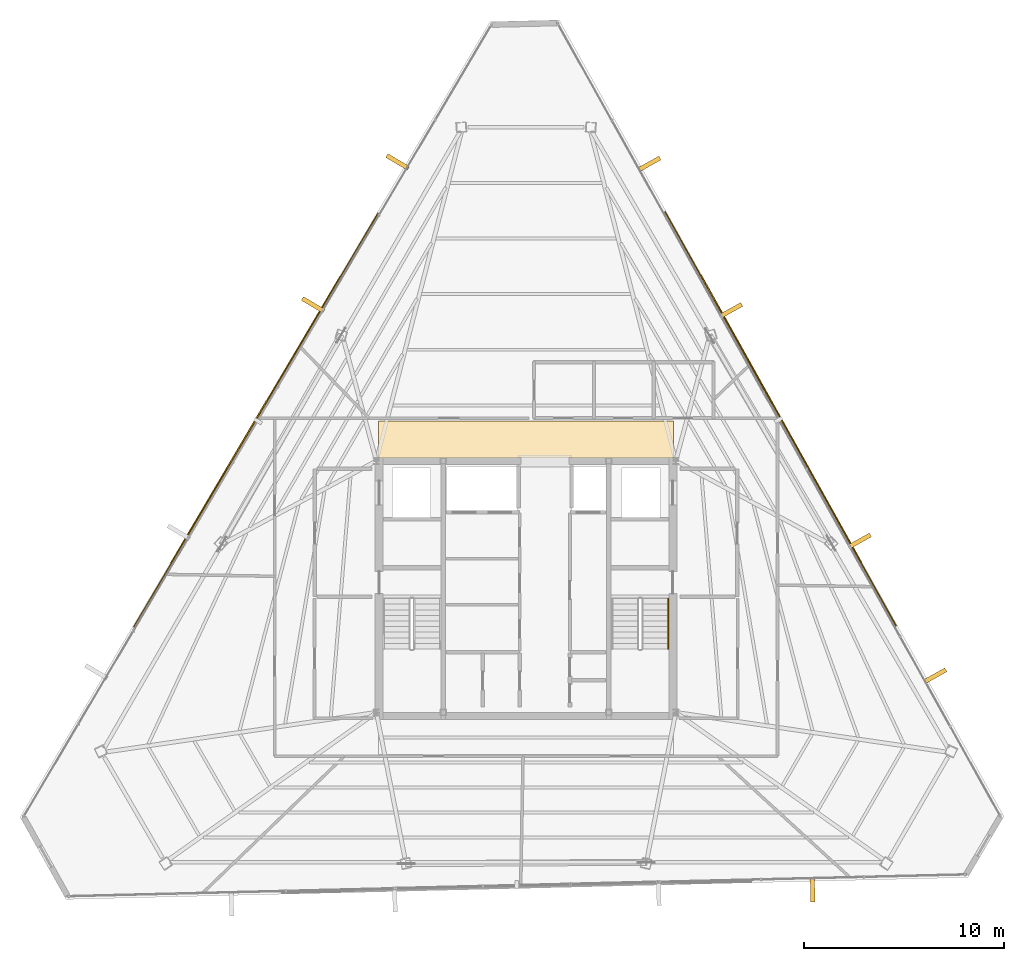
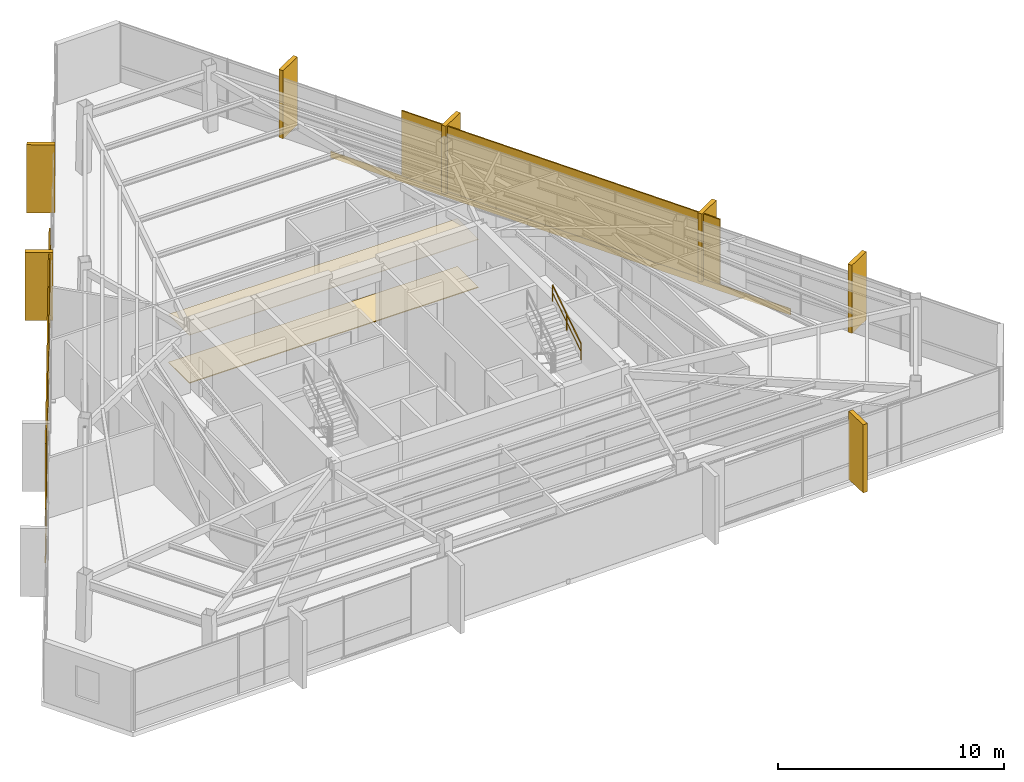
# One storey, part 44 of 44: 11 coverings, 2 shading devices, 1 railing.
"""IFC4 building model written with IfcOpenShell, lengths in metres."""

from ifc_helpers import new_model, si_unit, direction, frame, origin, origin_2d, place, context, subcontext, project, spatial, polyline, rectangle, outline, extrude, source, transform, mapped, material, layer, layer_set, type_object, type_shapes, element, save


model = new_model("IFC4")

# Units and contexts
model_context = context("Model", 3, precision=1e-05, world=origin(), true_north=direction((0.0, 1.0)))
body_context = subcontext(model_context, "Body", "Model", "MODEL_VIEW")
ifc_project = project(units=[si_unit("LENGTHUNIT", "METRE"), si_unit("AREAUNIT", "SQUARE_METRE"), si_unit("VOLUMEUNIT", "CUBIC_METRE"), si_unit("PLANEANGLEUNIT", "RADIAN"), si_unit("MASSUNIT", "GRAM", prefix="KILO")], contexts=[model_context])

# Site, building, storey
site_placement = place(None, origin())
site = spatial("IfcSite", under=ifc_project, at=site_placement, CompositionType="ELEMENT")
building_placement = place(site_placement, origin())
building = spatial("IfcBuilding", under=site, at=building_placement, Name="Caelisora Broadcast Tower", CompositionType="ELEMENT")
storey_placement = place(building_placement, frame((0.0, 0.0, 280.949951171875)))
storey = spatial("IfcBuildingStorey", under=building, at=storey_placement, Name="L74", CompositionType="ELEMENT", Elevation=280.949951171875)

# Coverings
ifc_material_1 = material(Name="Perforated Mineral-Fibre Acoustic Ceiling Tile", Category="gypsum")
ifc_layer_1 = layer(ifc_material_1, 0.034912109375, Name="Perforated Mineral-Fibre Acoustic Ceiling Tile")
ifc_layer_set_1 = layer_set([ifc_layer_1], Name="Perforated Mineral-Fibre Acoustic Ceiling Tile")
covering_type_1 = type_object("IfcCoveringType", Name="CE-1", PredefinedType="CEILING", material=ifc_layer_set_1)
covering_1_placement = place(storey_placement, frame((0.0, 0.0, 2.60009765625)))
element("IfcCovering", 1, at=covering_1_placement, inside=storey, type_object=covering_type_1, Name="L74 acoustic corridor ceiling CE-1 (N)", PredefinedType="CEILING", context=body_context, shape_type="SweptSolid", body=[
    extrude(outline(polyline([(30.60009765625, 30.14990234375), (45.39990234375, 30.14990234375), (45.39990234375, 32.0), (30.60009765625, 32.0), (30.60009765625, 30.14990234375)])), origin(), (0.0, 0.0, 1.0), 0.034912109375),
])
ifc_material_2 = material(Name="Anti-Static Broadcast Raised Access Floor Panel", Category="steel")
ifc_layer_2 = layer(ifc_material_2, 0.044921875, Name="Anti-Static Broadcast Raised Access Floor Panel")
ifc_layer_set_2 = layer_set([ifc_layer_2], Name="Anti-Static Broadcast Raised Access Floor Panel")
covering_type_2 = type_object("IfcCoveringType", Name="FL-1", PredefinedType="FLOORING", material=ifc_layer_set_2)
covering_2_placement = place(storey_placement, origin())
element("IfcCovering", 2, at=covering_2_placement, inside=storey, type_object=covering_type_2, Name="L74 broadcast raised access floor FL-1 (N)", PredefinedType="FLOORING", context=body_context, shape_type="SweptSolid", body=[
    extrude(outline(polyline([(30.60009765625, 30.14990234375), (45.39990234375, 30.14990234375), (45.39990234375, 32.0), (30.60009765625, 32.0), (30.60009765625, 30.14990234375)])), origin(), (0.0, 0.0, 1.0), 0.045166015625),
])

# Railing
ifc_material_3 = material(Name="Stainless Steel Grade 316 Tubular Handrail", Category="steel")
ifc_layer_3 = layer(ifc_material_3, 0.048095703125, Name="Stainless Steel Grade 316 Tubular Handrail")
ifc_layer_set_3 = layer_set([ifc_layer_3], Name="Stainless Steel Grade 316 Tubular Handrail")
railing_type = type_object("IfcRailingType", Name="HR-1", PredefinedType="HANDRAIL", material=ifc_layer_set_3)
railing_placement = place(storey_placement, frame((45.1298828125, 20.580078125, 2.007568359375)))
element("IfcRailing", 3, at=railing_placement, inside=storey, type_object=railing_type, Name="L74 ST-2 stair handrail 2", PredefinedType="HANDRAIL", context=body_context, shape_type="SweptSolid", body=[
    extrude(rectangle(XDim=0.048095703125, YDim=0.048095703125, at=origin_2d()), frame((0.0, 0.0, 0.8759765625), z_axis=(0.0, 0.837749427056, 0.546054848405), x_axis=(-1.0, 0.0, 0.0)), (0.0, 0.0, 1.0), 3.008056640625),
    extrude(rectangle(XDim=0.03125, YDim=0.03125, at=origin_2d()), frame((0.0, 0.0, 0.449951171875), z_axis=(0.0, 0.837749427056, 0.546054848405), x_axis=(-1.0, 0.0, 0.0)), (0.0, 0.0, 1.0), 3.008056640625),
    extrude(rectangle(XDim=0.0419921875, YDim=0.0419921875, at=origin_2d()), origin(), (0.0, 0.0, 1.0), 0.851806640625),
    extrude(rectangle(XDim=0.0419921875, YDim=0.0419921875, at=origin_2d()), frame((0.0, 1.260009765625, 0.8212890625)), (0.0, 0.0, 1.0), 0.851806640625),
    extrude(rectangle(XDim=0.0419921875, YDim=0.0419921875, at=origin_2d()), frame((0.0, 2.52001953125, 1.642578125)), (0.0, 0.0, 1.0), 0.851806640625),
])

# Coverings
ifc_material_4 = material(Name="Kiln-Fired Terracotta Spandrel Rainscreen Cladding", Category="ceramic")
ifc_layer_4 = layer(ifc_material_4, 0.044921875, Name="Kiln-Fired Terracotta Spandrel Rainscreen Cladding")
ifc_layer_set_4 = layer_set([ifc_layer_4], Name="Kiln-Fired Terracotta Spandrel Rainscreen Cladding")
covering_type_3 = type_object("IfcCoveringType", Name="CL-1", PredefinedType="CLADDING", material=ifc_layer_set_4)
shared_shape_1 = source(origin(), body_context, "Body", "SweptSolid", [
    extrude(rectangle(XDim=0.219970703125, YDim=1.25, at=origin_2d()), origin(), (0.0, 0.0, 1.0), 3.68994140625),
])
for number, where, z_axis, x_axis, name in (
    (4, (44.165283203125, 44.87841796875, -0.02001953125), (0.0, 0.0, 1.0), (0.487554922136, -0.873092319232, 0.0), "L74 vertical solar fin cladding #1-1"),
    (5, (48.263671875, 37.53955078125, -0.02001953125), (0.0, 0.0, 1.0), (0.487554922136, -0.873092319232, 0.0), "L74 vertical solar fin cladding #1-2"),
    (6, (54.71337890625, 25.989990234375, -0.02001953125), (0.0, 0.0, 1.0), (0.487554922136, -0.873092319232, 0.0), "L74 vertical solar fin cladding #1-3"),
    (7, (58.4892578125, 19.22900390625, -0.02001953125), (0.0, 0.0, 1.0), (0.487554922136, -0.873092319232, 0.0), "L74 vertical solar fin cladding #1-4"),
    (8, (52.357666015625, 8.52783203125, -0.02001953125), (0.0, 0.0, 1.0), (-0.999705738774, -0.024257696956, 0.0), "L74 vertical solar fin cladding #2-1"),
    (9, (27.32958984375, 37.821533203125, -0.02001953125), (0.0, 0.0, 1.0), (0.508740929096, 0.860919663536, 0.0), "L74 vertical solar fin cladding #3-3"),
    (10, (31.561767578125, 44.984619140625, -0.02001953125), (0.0, 0.0, 1.0), (0.508740929096, 0.860919663536, 0.0), "L74 vertical solar fin cladding #3-4"),
):
    element("IfcCovering", number, at=place(storey_placement, frame(where, z_axis=z_axis, x_axis=x_axis)), inside=storey, type_object=covering_type_3, Name=name, PredefinedType="CLADDING", context=body_context, shape_type="MappedRepresentation", body=[
        mapped(shared_shape_1, transform((0.0, 0.0, 0.0), scale=1.0)),
    ])

# Shading device
ifc_material_5 = material(Name="Perforated Glazed Terracotta Baguette Solar Screen", Category="ceramic")
ifc_layer_5 = layer(ifc_material_5, 0.06494140625, Name="Perforated Glazed Terracotta Baguette Solar Screen")
ifc_layer_set_5 = layer_set([ifc_layer_5], Name="Perforated Glazed Terracotta Baguette Solar Screen")
shading_device_type = type_object("IfcShadingDeviceType", Name="SS-1", PredefinedType="USERDEFINED", material=ifc_layer_set_5)
shared_shape_2 = source(origin(), body_context, "Body", "SweptSolid", [
    extrude(rectangle(XDim=16.6650390625, YDim=0.06494140625, at=origin_2d()), origin(), (0.0, 0.0, 1.0), 3.590087890625),
])
shading_device_1_placement = place(storey_placement, frame((24.449951171875, 32.063232421875, 0.0), z_axis=(0.0, 0.0, 1.0), x_axis=(-0.508740929096, -0.860919663536, 0.0)))
element("IfcShadingDevice", 11, at=shading_device_1_placement, inside=storey, type_object=shading_device_type, Name="L74 perforated terracotta solar screen #1", ObjectType="SOLAR SCREEN", PredefinedType="USERDEFINED", context=body_context, shape_type="MappedRepresentation", body=[
    mapped(shared_shape_2, transform((0.0, 0.0, 0.0), scale=1.0)),
])

# Covering
shared_shape_3 = source(origin(), body_context, "Body", "SweptSolid", [
    extrude(rectangle(XDim=24.071044921875, YDim=0.044921875, at=origin_2d()), origin(), (0.0, 0.0, 1.0), 0.340087890625),
])
covering_3_placement = place(storey_placement, frame((24.46728515625, 32.052978515625, -0.27001953125), z_axis=(0.0, 0.0, 1.0), x_axis=(-0.508740929096, -0.860919663536, 0.0)))
element("IfcCovering", 12, at=covering_3_placement, inside=storey, type_object=covering_type_3, Name="L74 terracotta spandrel rainscreen #1", PredefinedType="CLADDING", context=body_context, shape_type="MappedRepresentation", body=[
    mapped(shared_shape_3, transform((0.0, 0.0, 0.0), scale=1.0)),
])

# Shading device
shared_shape_4 = source(origin(), body_context, "Body", "SweptSolid", [
    extrude(rectangle(XDim=16.452880859375, YDim=0.06494140625, at=origin_2d()), origin(), (0.0, 0.0, 1.0), 3.590087890625),
])
type_shapes(shading_device_type, [shared_shape_2, shared_shape_4])
shading_device_2_placement = place(storey_placement, frame((50.772216796875, 32.125, 0.0), z_axis=(0.0, 0.0, 1.0), x_axis=(-0.487554922136, 0.873092319232, 0.0)))
element("IfcShadingDevice", 13, at=shading_device_2_placement, inside=storey, type_object=shading_device_type, Name="L74 perforated terracotta solar screen #3", ObjectType="SOLAR SCREEN", PredefinedType="USERDEFINED", context=body_context, shape_type="MappedRepresentation", body=[
    mapped(shared_shape_4, transform((0.0, 0.0, 0.0), scale=1.0)),
])

# Covering
shared_shape_5 = source(origin(), body_context, "Body", "SweptSolid", [
    extrude(rectangle(XDim=23.76611328125, YDim=0.044921875, at=origin_2d()), origin(), (0.0, 0.0, 1.0), 0.340087890625),
])
type_shapes(covering_type_3, [shared_shape_1, shared_shape_3, shared_shape_5])
covering_4_placement = place(storey_placement, frame((50.754638671875, 32.115234375, -0.27001953125), z_axis=(0.0, 0.0, 1.0), x_axis=(-0.487554922136, 0.873092319232, 0.0)))
element("IfcCovering", 14, at=covering_4_placement, inside=storey, type_object=covering_type_3, Name="L74 terracotta spandrel rainscreen #3", PredefinedType="CLADDING", context=body_context, shape_type="MappedRepresentation", body=[
    mapped(shared_shape_5, transform((0.0, 0.0, 0.0), scale=1.0)),
])

save(model, "model.ifc")
